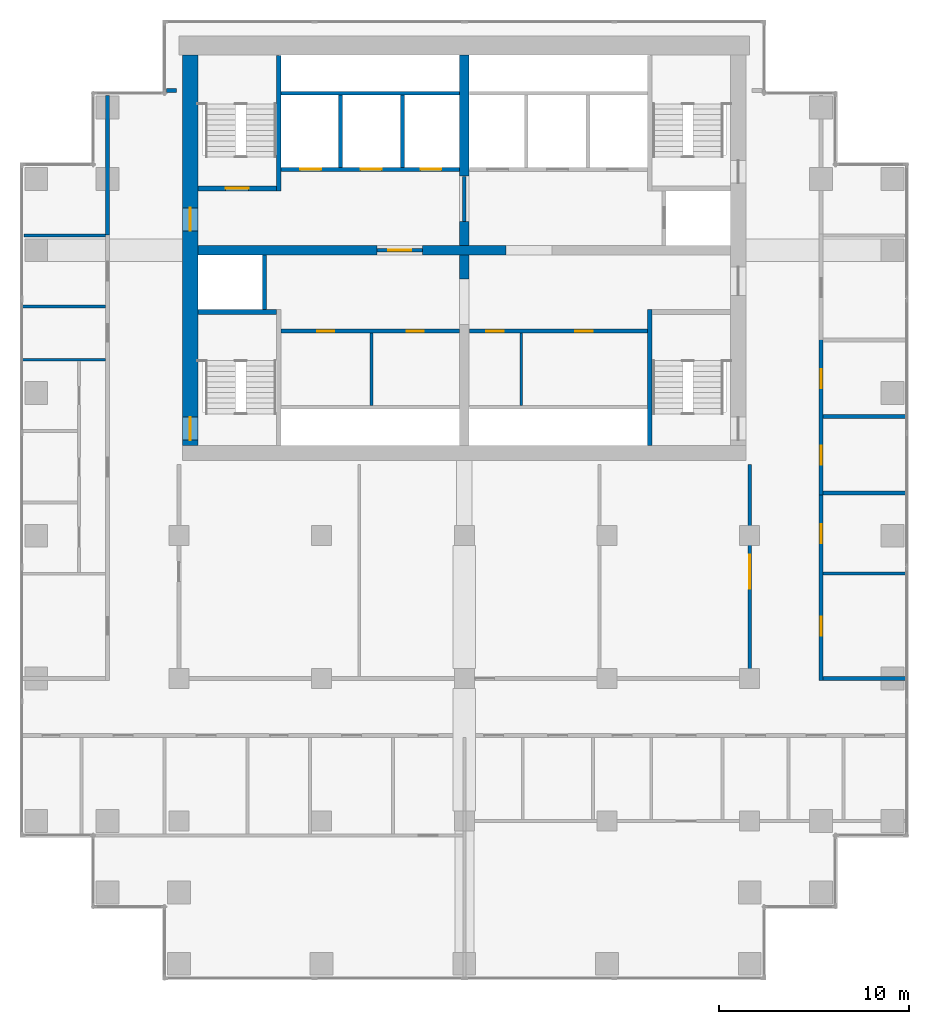
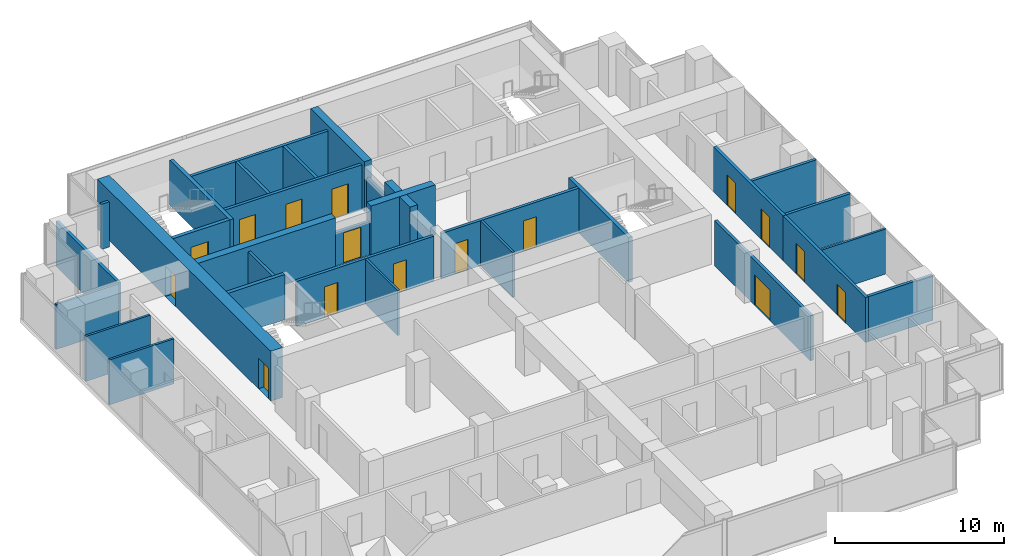
# One storey, part 8 of 10: 33 walls, 16 doors, 16 openings.
"""IFC4 building model written with IfcOpenShell, lengths in metres."""

from ifc_helpers import new_model, si_unit, direction, frame, frame_2d, origin, place, context, subcontext, project, spatial, rectangle, extrude, material, layer, layer_set, type_object, element, fill, save


model = new_model("IFC4")

# Units and contexts
model_context = context("Model", 3, precision=1e-05, world=origin(), true_north=direction((0.0, 1.0)))
body_context = subcontext(model_context, "Body", "Model", "MODEL_VIEW")
ifc_project = project(units=[si_unit("LENGTHUNIT", "METRE"), si_unit("AREAUNIT", "SQUARE_METRE"), si_unit("VOLUMEUNIT", "CUBIC_METRE"), si_unit("PLANEANGLEUNIT", "RADIAN"), si_unit("MASSUNIT", "GRAM", prefix="KILO")], contexts=[model_context])

# Site, building, storey
site_placement = place(None, origin())
site = spatial("IfcSite", under=ifc_project, at=site_placement, CompositionType="ELEMENT")
building_placement = place(site_placement, origin())
building = spatial("IfcBuilding", under=site, at=building_placement, Name="Pilkhan Gate Tower", CompositionType="ELEMENT")
storey_placement = place(building_placement, frame((0.0, 0.0, 180.10009765625)))
storey = spatial("IfcBuildingStorey", under=building, at=storey_placement, Name="L46", CompositionType="ELEMENT", Elevation=180.10009765625)

# Wall, openings, doors
ifc_material_1 = material(Name="Concrete C60/75", Category="concrete")
ifc_layer_1 = layer(ifc_material_1, 0.800048828125)
ifc_layer_set_1 = layer_set([ifc_layer_1], Name="Core wall CW800 C60/75")
wall_type_1 = type_object("IfcWallType", Name="Core wall CW800 C60/75", PredefinedType="SHEAR", material=ifc_layer_set_1)
wall_1_placement = place(storey_placement, frame((60.60009765625, 92.75, 0.0), z_axis=(0.0, 0.0, 1.0), x_axis=(0.0, -1.0, 0.0)))
wall_1 = element("IfcWall", 1, at=wall_1_placement, inside=storey, type_object=wall_type_1, Name="Core wall W L46", PredefinedType="SHEAR", context=body_context, shape_type="SweptSolid", body=[
    extrude(rectangle(XDim=20.5, YDim=0.800048828125, at=frame_2d((10.25, 0.0))), origin(), (0.0, 0.0, 1.0), 3.599853515625),
])
opening_1_placement = place(wall_1_placement, frame((19.02490234375, 0.0, 0.0)))
opening_1 = element("IfcOpeningElement", 2, at=opening_1_placement, cuts=wall_1, Name="Opening L46-04", PredefinedType="OPENING", context=body_context, shape_type="SweptSolid", body=[
    extrude(rectangle(XDim=1.199951171875, YDim=2.199951171875, at=frame_2d((0.60009765625, 1.10009765625))), frame((0.0, 0.409912109375, 0.0), z_axis=(0.0, -1.0, 0.0), x_axis=(1.0, 0.0, 0.0)), (0.0, 0.0, 1.0), 0.820068359375),
])
opening_2_placement = place(wall_1_placement, frame((8.02490234375, 0.0, 0.0)))
opening_2 = element("IfcOpeningElement", 3, at=opening_2_placement, cuts=wall_1, Name="Opening L46-12", PredefinedType="OPENING", context=body_context, shape_type="SweptSolid", body=[
    extrude(rectangle(XDim=1.199951171875, YDim=2.199951171875, at=frame_2d((0.60009765625, 1.10009765625))), frame((0.0, 0.409912109375, 0.0), z_axis=(0.0, -1.0, 0.0), x_axis=(1.0, 0.0, 0.0)), (0.0, 0.0, 1.0), 0.820068359375),
])
ifc_material_2 = material(Name="Steel door, 120 minute fire resisting, self-closing", Category="steel")
door_type_1 = type_object("IfcDoorType", Name="Firefighting lobby door D10 1200x2200", OperationType="SINGLE_SWING_LEFT", PredefinedType="DOOR", material=ifc_material_2)
door_1_placement = place(opening_2_placement, origin())
door_1 = element("IfcDoor", 4, at=door_1_placement, inside=storey, type_object=door_type_1, Name="Core door", OperationType="SINGLE_SWING_RIGHT", OverallHeight=2.199951171875, OverallWidth=1.199951171875, PredefinedType="DOOR", context=body_context, shape_type="SweptSolid", body=[
    extrude(rectangle(XDim=1.199951171875, YDim=2.199951171875, at=frame_2d((0.60009765625, 1.10009765625))), frame((0.0, 0.02490234375, 0.0), z_axis=(0.0, -1.0, 0.0), x_axis=(1.0, 0.0, 0.0)), (0.0, 0.0, 1.0), 0.050048828125),
])
fill(opening_2, door_1)
ifc_material_3 = material(Name="Steel door, 120 minute fire resisting, panic bar", Category="steel")
door_type_2 = type_object("IfcDoorType", Name="Stair door D11 1200x2200", OperationType="SINGLE_SWING_LEFT", PredefinedType="DOOR", material=ifc_material_3)
door_2_placement = place(opening_1_placement, origin())
door_2 = element("IfcDoor", 5, at=door_2_placement, inside=storey, type_object=door_type_2, Name="Stair ST2 door", OperationType="SINGLE_SWING_LEFT", OverallHeight=2.199951171875, OverallWidth=1.199951171875, PredefinedType="DOOR", context=body_context, shape_type="SweptSolid", body=[
    extrude(rectangle(XDim=1.199951171875, YDim=2.199951171875, at=frame_2d((0.60009765625, 1.10009765625))), frame((0.0, 0.02490234375, 0.0), z_axis=(0.0, -1.0, 0.0), x_axis=(1.0, 0.0, 0.0)), (0.0, 0.0, 1.0), 0.050048828125),
])
fill(opening_1, door_2)

# Walls
ifc_material_4 = material(Name="Dense blockwork", Category="masonry")
ifc_layer_2 = layer(ifc_material_4, 0.199951171875)
ifc_layer_set_2 = layer_set([ifc_layer_2], Name="Corridor wall FW200")
wall_type_2 = type_object("IfcWallType", Name="Corridor wall FW200", PredefinedType="PARTITIONING", material=ifc_layer_set_2)
wall_2_placement = place(storey_placement, frame((93.85009765625, 60.0, 0.0), z_axis=(0.0, 0.0, 1.0), x_axis=(1.0, 0.0, 0.0)))
element("IfcWall", 6, at=wall_2_placement, inside=storey, type_object=wall_type_2, Name="Partition L46", PredefinedType="PARTITIONING", context=body_context, shape_type="SweptSolid", body=[
    extrude(rectangle(XDim=4.414794921875, YDim=0.199951171875, at=frame_2d((2.20751953125, 0.0))), origin(), (0.0, 0.0, 1.0), 3.25),
])
wall_3_placement = place(storey_placement, frame((59.35498046875, 90.89990234375, 0.0), z_axis=(0.0, 0.0, 1.0), x_axis=(1.0, 0.0, 0.0)))
element("IfcWall", 7, at=wall_3_placement, inside=storey, type_object=wall_type_2, Name="Partition L46", PredefinedType="PARTITIONING", context=body_context, shape_type="SweptSolid", body=[
    extrude(rectangle(XDim=0.52490234375, YDim=0.199951171875, at=frame_2d((0.262451171875, 0.0))), origin(), (0.0, 0.0, 1.0), 3.25),
])
wall_4_placement = place(storey_placement, frame((56.25, 83.31005859375, 0.0), z_axis=(0.0, 0.0, 1.0), x_axis=(0.0, 1.0, 0.0)))
element("IfcWall", 8, at=wall_4_placement, inside=storey, type_object=wall_type_2, Name="Partition L46", PredefinedType="PARTITIONING", context=body_context, shape_type="SweptSolid", body=[
    extrude(rectangle(XDim=7.3349609375, YDim=0.199951171875, at=frame_2d((3.66748046875, 0.0))), origin(), (0.0, 0.0, 1.0), 3.25),
])

# Wall, opening, door
wall_5_placement = place(storey_placement, frame((90.0, 59.89990234375, 0.0), z_axis=(0.0, 0.0, 1.0), x_axis=(0.0, 1.0, 0.0)))
wall_5 = element("IfcWall", 9, at=wall_5_placement, inside=storey, type_object=wall_type_2, Name="Partition L46", PredefinedType="PARTITIONING", context=body_context, shape_type="SweptSolid", body=[
    extrude(rectangle(XDim=11.35009765625, YDim=0.199951171875, at=frame_2d((5.675048828125, 0.0))), origin(), (0.0, 0.0, 1.0), 3.25),
])
opening_3_placement = place(wall_5_placement, frame((4.800048828125, 0.0, 0.0)))
opening_3 = element("IfcOpeningElement", 10, at=opening_3_placement, cuts=wall_5, Name="Opening L46-41", PredefinedType="OPENING", context=body_context, shape_type="SweptSolid", body=[
    extrude(rectangle(XDim=1.800048828125, YDim=2.199951171875, at=frame_2d((0.89990234375, 1.10009765625))), frame((0.0, 0.10986328125, 0.0), z_axis=(0.0, -1.0, 0.0), x_axis=(1.0, 0.0, 0.0)), (0.0, 0.0, 1.0), 0.219970703125),
])
ifc_material_5 = material(Name="Timber glazed double door, 30 minute fire resisting", Category="wood")
door_type_3 = type_object("IfcDoorType", Name="Double door D04 1800x2200", OperationType="DOUBLE_DOOR_SINGLE_SWING", PredefinedType="DOOR", material=ifc_material_5)
door_3_placement = place(opening_3_placement, origin())
door_3 = element("IfcDoor", 11, at=door_3_placement, inside=storey, type_object=door_type_3, Name="Double door", OperationType="DOUBLE_DOOR_SINGLE_SWING", OverallHeight=2.199951171875, OverallWidth=1.800048828125, PredefinedType="DOOR", context=body_context, shape_type="SweptSolid", body=[
    extrude(rectangle(XDim=1.800048828125, YDim=2.199951171875, at=frame_2d((0.89990234375, 1.10009765625))), frame((0.0, 0.02490234375, 0.0), z_axis=(0.0, -1.0, 0.0), x_axis=(1.0, 0.0, 0.0)), (0.0, 0.0, 1.0), 0.050048828125),
])
fill(opening_3, door_3)

# Wall, openings, doors
wall_6_placement = place(storey_placement, frame((93.75, 59.89990234375, 0.0), z_axis=(0.0, 0.0, 1.0), x_axis=(0.0, 1.0, 0.0)))
wall_6 = element("IfcWall", 12, at=wall_6_placement, inside=storey, type_object=wall_type_2, Name="Partition L46", PredefinedType="PARTITIONING", context=body_context, shape_type="SweptSolid", body=[
    extrude(rectangle(XDim=9.835205078125, YDim=0.199951171875, at=frame_2d((4.91748046875, 0.0))), origin(), (0.0, 0.0, 1.0), 3.25),
])
opening_4_placement = place(wall_6_placement, frame((2.35009765625, 0.0, 0.0)))
opening_4 = element("IfcOpeningElement", 13, at=opening_4_placement, cuts=wall_6, Name="Opening L46-36", PredefinedType="OPENING", context=body_context, shape_type="SweptSolid", body=[
    extrude(rectangle(XDim=1.0, YDim=2.199951171875, at=frame_2d((0.5, 1.10009765625))), frame((0.0, 0.10986328125, 0.0), z_axis=(0.0, -1.0, 0.0), x_axis=(1.0, 0.0, 0.0)), (0.0, 0.0, 1.0), 0.219970703125),
])
opening_5_placement = place(wall_6_placement, frame((7.202880859375, 0.0, 0.0)))
opening_5 = element("IfcOpeningElement", 14, at=opening_5_placement, cuts=wall_6, Name="Opening L46-37", PredefinedType="OPENING", context=body_context, shape_type="SweptSolid", body=[
    extrude(rectangle(XDim=1.0, YDim=2.199951171875, at=frame_2d((0.5, 1.10009765625))), frame((0.0, 0.10986328125, 0.0), z_axis=(0.0, -1.0, 0.0), x_axis=(1.0, 0.0, 0.0)), (0.0, 0.0, 1.0), 0.219970703125),
])
ifc_material_6 = material(Name="Timber flush door, 30 minute fire resisting", Category="wood")
door_type_4 = type_object("IfcDoorType", Name="Room door D03 1000x2200", OperationType="SINGLE_SWING_LEFT", PredefinedType="DOOR", material=ifc_material_6)
door_4_placement = place(opening_4_placement, origin())
door_4 = element("IfcDoor", 15, at=door_4_placement, inside=storey, type_object=door_type_4, Name="Room door", OperationType="SINGLE_SWING_LEFT", OverallHeight=2.199951171875, OverallWidth=1.0, PredefinedType="DOOR", context=body_context, shape_type="SweptSolid", body=[
    extrude(rectangle(XDim=1.0, YDim=2.199951171875, at=frame_2d((0.5, 1.10009765625))), frame((0.0, 0.02490234375, 0.0), z_axis=(0.0, -1.0, 0.0), x_axis=(1.0, 0.0, 0.0)), (0.0, 0.0, 1.0), 0.050048828125),
])
fill(opening_4, door_4)
door_5_placement = place(opening_5_placement, origin())
door_5 = element("IfcDoor", 16, at=door_5_placement, inside=storey, type_object=door_type_4, Name="Room door", OperationType="SINGLE_SWING_LEFT", OverallHeight=2.199951171875, OverallWidth=1.0, PredefinedType="DOOR", context=body_context, shape_type="SweptSolid", body=[
    extrude(rectangle(XDim=1.0, YDim=2.199951171875, at=frame_2d((0.5, 1.10009765625))), frame((0.0, 0.02490234375, 0.0), z_axis=(0.0, -1.0, 0.0), x_axis=(1.0, 0.0, 0.0)), (0.0, 0.0, 1.0), 0.050048828125),
])
fill(opening_5, door_5)

# Walls
ifc_layer_3 = layer(ifc_material_4, 0.199951171875)
ifc_layer_set_3 = layer_set([ifc_layer_3], Name="Lobby wall LW200")
wall_type_3 = type_object("IfcWallType", Name="Lobby wall LW200", PredefinedType="PARTITIONING", material=ifc_layer_set_3)
for number, where, z_axis, x_axis, name in (
    (17, (93.85009765625, 69.735107421875, 0.0), (0.0, 0.0, 1.0), (1.0, 0.0, 0.0), "Partition L46"),
    (18, (93.85009765625, 73.756103515625, 0.0), (0.0, 0.0, 1.0), (1.0, 0.0, 0.0), "Partition L46"),
):
    element("IfcWall", number, at=place(storey_placement, frame(where, z_axis=z_axis, x_axis=x_axis)), inside=storey, type_object=wall_type_3, Name=name, PredefinedType="PARTITIONING", context=body_context, shape_type="SweptSolid", body=[
        extrude(rectangle(XDim=4.414794921875, YDim=0.199951171875, at=frame_2d((2.20751953125, 0.0))), origin(), (0.0, 0.0, 1.0), 3.25),
    ])

# Wall, openings, doors
wall_7_placement = place(storey_placement, frame((65.375, 78.25, 0.0), z_axis=(0.0, 0.0, 1.0), x_axis=(1.0, 0.0, 0.0)))
wall_7 = element("IfcWall", 19, at=wall_7_placement, inside=storey, type_object=wall_type_3, Name="Partition L46", PredefinedType="PARTITIONING", context=body_context, shape_type="SweptSolid", body=[
    extrude(rectangle(XDim=9.364990234375, YDim=0.199951171875, at=frame_2d((4.6826171875, 0.0))), origin(), (0.0, 0.0, 1.0), 3.25),
])
opening_6_placement = place(wall_7_placement, frame((1.89990234375, 0.0, 0.0)))
opening_6 = element("IfcOpeningElement", 20, at=opening_6_placement, cuts=wall_7, Name="Opening L46-13", PredefinedType="OPENING", context=body_context, shape_type="SweptSolid", body=[
    extrude(rectangle(XDim=0.89990234375, YDim=2.199951171875, at=frame_2d((0.449951171875, 1.10009765625))), frame((0.0, 0.10986328125, 0.0), z_axis=(0.0, -1.0, 0.0), x_axis=(1.0, 0.0, 0.0)), (0.0, 0.0, 1.0), 0.219970703125),
])
opening_7_placement = place(wall_7_placement, frame((6.60009765625, 0.0, 0.0)))
opening_7 = element("IfcOpeningElement", 21, at=opening_7_placement, cuts=wall_7, Name="Opening L46-14", PredefinedType="OPENING", context=body_context, shape_type="SweptSolid", body=[
    extrude(rectangle(XDim=0.89990234375, YDim=2.199951171875, at=frame_2d((0.449951171875, 1.10009765625))), frame((0.0, 0.10986328125, 0.0), z_axis=(0.0, -1.0, 0.0), x_axis=(1.0, 0.0, 0.0)), (0.0, 0.0, 1.0), 0.219970703125),
])
ifc_material_7 = material(Name="Timber flush door, 60 minute fire resisting, self-closing", Category="wood")
door_type_5 = type_object("IfcDoorType", Name="Store door D05 900x2200", OperationType="SINGLE_SWING_LEFT", PredefinedType="DOOR", material=ifc_material_7)
door_6_placement = place(opening_6_placement, origin())
door_6 = element("IfcDoor", 22, at=door_6_placement, inside=storey, type_object=door_type_5, Name="Store door", OperationType="SINGLE_SWING_LEFT", OverallHeight=2.199951171875, OverallWidth=0.89990234375, PredefinedType="DOOR", context=body_context, shape_type="SweptSolid", body=[
    extrude(rectangle(XDim=0.89990234375, YDim=2.199951171875, at=frame_2d((0.449951171875, 1.10009765625))), frame((0.0, 0.02490234375, 0.0), z_axis=(0.0, -1.0, 0.0), x_axis=(1.0, 0.0, 0.0)), (0.0, 0.0, 1.0), 0.050048828125),
])
fill(opening_6, door_6)
door_7_placement = place(opening_7_placement, origin())
door_7 = element("IfcDoor", 23, at=door_7_placement, inside=storey, type_object=door_type_5, Name="Store door", OperationType="SINGLE_SWING_LEFT", OverallHeight=2.199951171875, OverallWidth=0.89990234375, PredefinedType="DOOR", context=body_context, shape_type="SweptSolid", body=[
    extrude(rectangle(XDim=0.89990234375, YDim=2.199951171875, at=frame_2d((0.449951171875, 1.10009765625))), frame((0.0, 0.02490234375, 0.0), z_axis=(0.0, -1.0, 0.0), x_axis=(1.0, 0.0, 0.0)), (0.0, 0.0, 1.0), 0.050048828125),
])
fill(opening_7, door_7)

wall_8_placement = place(storey_placement, frame((75.260009765625, 78.25, 0.0), z_axis=(0.0, 0.0, 1.0), x_axis=(1.0, 0.0, 0.0)))
wall_8 = element("IfcWall", 24, at=wall_8_placement, inside=storey, type_object=wall_type_3, Name="Partition L46", PredefinedType="PARTITIONING", context=body_context, shape_type="SweptSolid", body=[
    extrude(rectangle(XDim=9.364990234375, YDim=0.199951171875, at=frame_2d((4.6826171875, 0.0))), origin(), (0.0, 0.0, 1.0), 3.25),
])
opening_8_placement = place(wall_8_placement, frame((0.89990234375, 0.0, 0.0)))
opening_8 = element("IfcOpeningElement", 25, at=opening_8_placement, cuts=wall_8, Name="Opening L46-15", PredefinedType="OPENING", context=body_context, shape_type="SweptSolid", body=[
    extrude(rectangle(XDim=0.89990234375, YDim=2.199951171875, at=frame_2d((0.449951171875, 1.10009765625))), frame((0.0, 0.10986328125, 0.0), z_axis=(0.0, -1.0, 0.0), x_axis=(1.0, 0.0, 0.0)), (0.0, 0.0, 1.0), 0.219970703125),
])
opening_9_placement = place(wall_8_placement, frame((5.580078125, 0.0, 0.0)))
opening_9 = element("IfcOpeningElement", 26, at=opening_9_placement, cuts=wall_8, Name="Opening L46-16", PredefinedType="OPENING", context=body_context, shape_type="SweptSolid", body=[
    extrude(rectangle(XDim=0.89990234375, YDim=2.199951171875, at=frame_2d((0.449951171875, 1.10009765625))), frame((0.0, 0.10986328125, 0.0), z_axis=(0.0, -1.0, 0.0), x_axis=(1.0, 0.0, 0.0)), (0.0, 0.0, 1.0), 0.219970703125),
])
door_8_placement = place(opening_8_placement, origin())
door_8 = element("IfcDoor", 27, at=door_8_placement, inside=storey, type_object=door_type_5, Name="Store door", OperationType="SINGLE_SWING_LEFT", OverallHeight=2.199951171875, OverallWidth=0.89990234375, PredefinedType="DOOR", context=body_context, shape_type="SweptSolid", body=[
    extrude(rectangle(XDim=0.89990234375, YDim=2.199951171875, at=frame_2d((0.449951171875, 1.10009765625))), frame((0.0, 0.02490234375, 0.0), z_axis=(0.0, -1.0, 0.0), x_axis=(1.0, 0.0, 0.0)), (0.0, 0.0, 1.0), 0.050048828125),
])
fill(opening_8, door_8)
door_9_placement = place(opening_9_placement, origin())
door_9 = element("IfcDoor", 28, at=door_9_placement, inside=storey, type_object=door_type_5, Name="Store door", OperationType="SINGLE_SWING_LEFT", OverallHeight=2.199951171875, OverallWidth=0.89990234375, PredefinedType="DOOR", context=body_context, shape_type="SweptSolid", body=[
    extrude(rectangle(XDim=0.89990234375, YDim=2.199951171875, at=frame_2d((0.449951171875, 1.10009765625))), frame((0.0, 0.02490234375, 0.0), z_axis=(0.0, -1.0, 0.0), x_axis=(1.0, 0.0, 0.0)), (0.0, 0.0, 1.0), 0.050048828125),
])
fill(opening_9, door_9)

# Wall, opening, door
wall_9_placement = place(storey_placement, frame((70.409912109375, 82.5, 0.0), z_axis=(0.0, 0.0, 1.0), x_axis=(1.0, 0.0, 0.0)))
wall_9 = element("IfcWall", 29, at=wall_9_placement, inside=storey, type_object=wall_type_3, Name="Partition L46", PredefinedType="PARTITIONING", context=body_context, shape_type="SweptSolid", body=[
    extrude(rectangle(XDim=2.380126953125, YDim=0.199951171875, at=frame_2d((1.18994140625, 0.0))), origin(), (0.0, 0.0, 1.0), 2.39990234375),
])
opening_10_placement = place(wall_9_placement, frame((0.60009765625, 0.0, 0.0)))
opening_10 = element("IfcOpeningElement", 30, at=opening_10_placement, cuts=wall_9, Name="Opening L46-01", PredefinedType="OPENING", context=body_context, shape_type="SweptSolid", body=[
    extrude(rectangle(XDim=1.199951171875, YDim=2.199951171875, at=frame_2d((0.60009765625, 1.10009765625))), frame((0.0, 0.10986328125, 0.0), z_axis=(0.0, -1.0, 0.0), x_axis=(1.0, 0.0, 0.0)), (0.0, 0.0, 1.0), 0.219970703125),
])
door_10_placement = place(opening_10_placement, origin())
door_10 = element("IfcDoor", 31, at=door_10_placement, inside=storey, type_object=door_type_1, Name="Firefighting lobby door", OperationType="SINGLE_SWING_LEFT", OverallHeight=2.199951171875, OverallWidth=1.199951171875, PredefinedType="DOOR", context=body_context, shape_type="SweptSolid", body=[
    extrude(rectangle(XDim=1.199951171875, YDim=2.199951171875, at=frame_2d((0.60009765625, 1.10009765625))), frame((0.0, 0.02490234375, 0.0), z_axis=(0.0, -1.0, 0.0), x_axis=(1.0, 0.0, 0.0)), (0.0, 0.0, 1.0), 0.050048828125),
])
fill(opening_10, door_10)

# Wall
wall_10_placement = place(storey_placement, frame((75.0, 84.010009765625, 0.0), z_axis=(0.0, 0.0, 1.0), x_axis=(0.0, 1.0, 0.0)))
element("IfcWall", 32, at=wall_10_placement, inside=storey, type_object=wall_type_3, Name="Partition L46", PredefinedType="PARTITIONING", context=body_context, shape_type="SweptSolid", body=[
    extrude(rectangle(XDim=2.3798828125, YDim=0.199951171875, at=frame_2d((1.18994140625, 0.0))), origin(), (0.0, 0.0, 1.0), 2.39990234375),
])

# Wall, openings, doors
wall_11_placement = place(storey_placement, frame((93.75, 69.635009765625, 0.0), z_axis=(0.0, 0.0, 1.0), x_axis=(0.0, 1.0, 0.0)))
wall_11 = element("IfcWall", 33, at=wall_11_placement, inside=storey, type_object=wall_type_3, Name="Partition L46", PredefinedType="PARTITIONING", context=body_context, shape_type="SweptSolid", body=[
    extrude(rectangle(XDim=8.241943359375, YDim=0.199951171875, at=frame_2d((4.12109375, 0.0))), origin(), (0.0, 0.0, 1.0), 3.25),
])
opening_11_placement = place(wall_11_placement, frame((1.60009765625, 0.0, 0.0)))
opening_11 = element("IfcOpeningElement", 34, at=opening_11_placement, cuts=wall_11, Name="Opening L46-09", PredefinedType="OPENING", context=body_context, shape_type="SweptSolid", body=[
    extrude(rectangle(XDim=1.0, YDim=2.199951171875, at=frame_2d((0.5, 1.10009765625))), frame((0.0, 0.10986328125, 0.0), z_axis=(0.0, -1.0, 0.0), x_axis=(1.0, 0.0, 0.0)), (0.0, 0.0, 1.0), 0.219970703125),
])
opening_12_placement = place(wall_11_placement, frame((5.62109375, 0.0, 0.0)))
opening_12 = element("IfcOpeningElement", 35, at=opening_12_placement, cuts=wall_11, Name="Opening L46-10", PredefinedType="OPENING", context=body_context, shape_type="SweptSolid", body=[
    extrude(rectangle(XDim=1.0, YDim=2.199951171875, at=frame_2d((0.5, 1.10009765625))), frame((0.0, 0.10986328125, 0.0), z_axis=(0.0, -1.0, 0.0), x_axis=(1.0, 0.0, 0.0)), (0.0, 0.0, 1.0), 0.219970703125),
])
door_11_placement = place(opening_11_placement, origin())
door_11 = element("IfcDoor", 36, at=door_11_placement, inside=storey, type_object=door_type_4, Name="Room door", OperationType="SINGLE_SWING_RIGHT", OverallHeight=2.199951171875, OverallWidth=1.0, PredefinedType="DOOR", context=body_context, shape_type="SweptSolid", body=[
    extrude(rectangle(XDim=1.0, YDim=2.199951171875, at=frame_2d((0.5, 1.10009765625))), frame((0.0, 0.02490234375, 0.0), z_axis=(0.0, -1.0, 0.0), x_axis=(1.0, 0.0, 0.0)), (0.0, 0.0, 1.0), 0.050048828125),
])
fill(opening_11, door_11)
door_12_placement = place(opening_12_placement, origin())
door_12 = element("IfcDoor", 37, at=door_12_placement, inside=storey, type_object=door_type_4, Name="Room door", OperationType="SINGLE_SWING_LEFT", OverallHeight=2.199951171875, OverallWidth=1.0, PredefinedType="DOOR", context=body_context, shape_type="SweptSolid", body=[
    extrude(rectangle(XDim=1.0, YDim=2.199951171875, at=frame_2d((0.5, 1.10009765625))), frame((0.0, 0.02490234375, 0.0), z_axis=(0.0, -1.0, 0.0), x_axis=(1.0, 0.0, 0.0)), (0.0, 0.0, 1.0), 0.050048828125),
])
fill(opening_12, door_12)

# Walls
ifc_material_8 = material(Name="Blockwork partition, plastered both sides", Category="masonry")
ifc_layer_4 = layer(ifc_material_8, 0.14990234375)
ifc_layer_set_4 = layer_set([ifc_layer_4], Name="Partition PW150")
wall_type_4 = type_object("IfcWallType", Name="Partition PW150", PredefinedType="PARTITIONING", material=ifc_layer_set_4)
for number, where, z_axis, x_axis, name in (
    (38, (93.85009765625, 65.5029296875, 0.0), (0.0, 0.0, 1.0), (1.0, 0.0, 0.0), "Partition L46"),
    (39, (51.735107421875, 76.75, 0.0), (0.0, 0.0, 1.0), (1.0, 0.0, 0.0), "Partition L46"),
    (40, (51.735107421875, 79.549072265625, 0.0), (0.0, 0.0, 1.0), (1.0, 0.0, 0.0), "Partition L46"),
):
    element("IfcWall", number, at=place(storey_placement, frame(where, z_axis=z_axis, x_axis=x_axis)), inside=storey, type_object=wall_type_4, Name=name, PredefinedType="PARTITIONING", context=body_context, shape_type="SweptSolid", body=[
        extrude(rectangle(XDim=4.414794921875, YDim=0.14990234375, at=frame_2d((2.20751953125, 0.0))), origin(), (0.0, 0.0, 1.0), 3.25),
    ])
wall_12_placement = place(storey_placement, frame((51.85498046875, 83.280029296875, 0.0), z_axis=(0.0, 0.0, 1.0), x_axis=(1.0, 0.0, 0.0)))
element("IfcWall", 41, at=wall_12_placement, inside=storey, type_object=wall_type_4, Name="Partition L46", PredefinedType="PARTITIONING", context=body_context, shape_type="SweptSolid", body=[
    extrude(rectangle(XDim=4.294921875, YDim=0.14990234375, at=frame_2d((2.1474609375, 0.0))), origin(), (0.0, 0.0, 1.0), 3.25),
])
for number, where, z_axis, x_axis, name in (
    (42, (70.125, 74.35009765625, 0.0), (0.0, 0.0, 1.0), (0.0, 1.0, 0.0), "Partition L46"),
    (43, (77.989990234375, 74.35009765625, 0.0), (0.0, 0.0, 1.0), (0.0, 1.0, 0.0), "Partition L46"),
):
    element("IfcWall", number, at=place(storey_placement, frame(where, z_axis=z_axis, x_axis=x_axis)), inside=storey, type_object=wall_type_4, Name=name, PredefinedType="PARTITIONING", context=body_context, shape_type="SweptSolid", body=[
        extrude(rectangle(XDim=3.7998046875, YDim=0.14990234375, at=frame_2d((1.89990234375, 0.0))), origin(), (0.0, 0.0, 1.0), 3.25),
    ])

# Wall, openings, doors
ifc_material_9 = material(Name="Reinforced blockwork shaft wall, 120 minute fire resisting", Category="masonry")
ifc_layer_5 = layer(ifc_material_9, 0.199951171875)
ifc_layer_set_5 = layer_set([ifc_layer_5], Name="Shaft wall SW200")
wall_type_5 = type_object("IfcWallType", Name="Shaft wall SW200", PredefinedType="PARTITIONING", material=ifc_layer_set_5)
wall_13_placement = place(storey_placement, frame((65.375, 86.75, 0.0), z_axis=(0.0, 0.0, 1.0), x_axis=(1.0, 0.0, 0.0)))
wall_13 = element("IfcWall", 44, at=wall_13_placement, inside=storey, type_object=wall_type_5, Name="Partition L46", PredefinedType="PARTITIONING", context=body_context, shape_type="SweptSolid", body=[
    extrude(rectangle(XDim=9.364990234375, YDim=0.199951171875, at=frame_2d((4.6826171875, 0.0))), origin(), (0.0, 0.0, 1.0), 3.25),
])
opening_13_placement = place(wall_13_placement, frame((1.0, 0.0, 0.0)))
opening_13 = element("IfcOpeningElement", 45, at=opening_13_placement, cuts=wall_13, Name="Opening LD", PredefinedType="OPENING", context=body_context, shape_type="SweptSolid", body=[
    extrude(rectangle(XDim=1.10009765625, YDim=2.199951171875, at=frame_2d((0.550048828125, 1.10009765625))), frame((0.0, 0.10986328125, 0.0), z_axis=(0.0, -1.0, 0.0), x_axis=(1.0, 0.0, 0.0)), (0.0, 0.0, 1.0), 0.219970703125),
])
opening_14_placement = place(wall_13_placement, frame((4.175048828125, 0.0, 0.0)))
opening_14 = element("IfcOpeningElement", 46, at=opening_14_placement, cuts=wall_13, Name="Opening LD", PredefinedType="OPENING", context=body_context, shape_type="SweptSolid", body=[
    extrude(rectangle(XDim=1.10009765625, YDim=2.199951171875, at=frame_2d((0.550048828125, 1.10009765625))), frame((0.0, 0.10986328125, 0.0), z_axis=(0.0, -1.0, 0.0), x_axis=(1.0, 0.0, 0.0)), (0.0, 0.0, 1.0), 0.219970703125),
])
opening_15_placement = place(wall_13_placement, frame((7.324951171875, 0.0, 0.0)))
opening_15 = element("IfcOpeningElement", 47, at=opening_15_placement, cuts=wall_13, Name="Opening LD", PredefinedType="OPENING", context=body_context, shape_type="SweptSolid", body=[
    extrude(rectangle(XDim=1.10009765625, YDim=2.199951171875, at=frame_2d((0.550048828125, 1.10009765625))), frame((0.0, 0.10986328125, 0.0), z_axis=(0.0, -1.0, 0.0), x_axis=(1.0, 0.0, 0.0)), (0.0, 0.0, 1.0), 0.219970703125),
])
ifc_material_10 = material(Name="Stainless steel centre-opening landing door, 120 minute fire resisting", Category="steel")
door_type_6 = type_object("IfcDoorType", Name="Lift landing door LD 1100x2200", OperationType="DOUBLE_DOOR_SLIDING", PredefinedType="DOOR", material=ifc_material_10)
door_13_placement = place(opening_13_placement, origin())
door_13 = element("IfcDoor", 48, at=door_13_placement, inside=storey, type_object=door_type_6, Name="Landing door FF1", OperationType="DOUBLE_DOOR_SLIDING", OverallHeight=2.199951171875, OverallWidth=1.10009765625, PredefinedType="DOOR", context=body_context, shape_type="SweptSolid", body=[
    extrude(rectangle(XDim=1.10009765625, YDim=2.199951171875, at=frame_2d((0.550048828125, 1.10009765625))), frame((0.0, 0.02490234375, 0.0), z_axis=(0.0, -1.0, 0.0), x_axis=(1.0, 0.0, 0.0)), (0.0, 0.0, 1.0), 0.050048828125),
])
fill(opening_13, door_13)
door_14_placement = place(opening_14_placement, origin())
door_14 = element("IfcDoor", 49, at=door_14_placement, inside=storey, type_object=door_type_6, Name="Landing door FF2", OperationType="DOUBLE_DOOR_SLIDING", OverallHeight=2.199951171875, OverallWidth=1.10009765625, PredefinedType="DOOR", context=body_context, shape_type="SweptSolid", body=[
    extrude(rectangle(XDim=1.10009765625, YDim=2.199951171875, at=frame_2d((0.550048828125, 1.10009765625))), frame((0.0, 0.02490234375, 0.0), z_axis=(0.0, -1.0, 0.0), x_axis=(1.0, 0.0, 0.0)), (0.0, 0.0, 1.0), 0.050048828125),
])
fill(opening_14, door_14)
door_15_placement = place(opening_15_placement, origin())
door_15 = element("IfcDoor", 50, at=door_15_placement, inside=storey, type_object=door_type_6, Name="Landing door SV1", OperationType="DOUBLE_DOOR_SLIDING", OverallHeight=2.199951171875, OverallWidth=1.10009765625, PredefinedType="DOOR", context=body_context, shape_type="SweptSolid", body=[
    extrude(rectangle(XDim=1.10009765625, YDim=2.199951171875, at=frame_2d((0.550048828125, 1.10009765625))), frame((0.0, 0.02490234375, 0.0), z_axis=(0.0, -1.0, 0.0), x_axis=(1.0, 0.0, 0.0)), (0.0, 0.0, 1.0), 0.050048828125),
])
fill(opening_15, door_15)

# Walls
wall_14_placement = place(storey_placement, frame((65.375, 90.75, 0.0), z_axis=(0.0, 0.0, 1.0), x_axis=(1.0, 0.0, 0.0)))
element("IfcWall", 51, at=wall_14_placement, inside=storey, type_object=wall_type_5, Name="Partition L46", PredefinedType="PARTITIONING", context=body_context, shape_type="SweptSolid", body=[
    extrude(rectangle(XDim=9.364990234375, YDim=0.199951171875, at=frame_2d((4.6826171875, 0.0))), origin(), (0.0, 0.0, 1.0), 3.25),
])
wall_15_placement = place(storey_placement, frame((64.5, 79.375, 0.0), z_axis=(0.0, 0.0, 1.0), x_axis=(0.0, 1.0, 0.0)))
element("IfcWall", 52, at=wall_15_placement, inside=storey, type_object=wall_type_5, Name="Partition L46", PredefinedType="PARTITIONING", context=body_context, shape_type="SweptSolid", body=[
    extrude(rectangle(XDim=2.864990234375, YDim=0.199951171875, at=frame_2d((1.4326171875, 0.0))), origin(), (0.0, 0.0, 1.0), 3.25),
])
for number, where, z_axis, x_axis, name in (
    (53, (68.5, 86.85009765625, 0.0), (0.0, 0.0, 1.0), (0.0, 1.0, 0.0), "Partition L46"),
    (54, (71.75, 86.85009765625, 0.0), (0.0, 0.0, 1.0), (0.0, 1.0, 0.0), "Partition L46"),
):
    element("IfcWall", number, at=place(storey_placement, frame(where, z_axis=z_axis, x_axis=x_axis)), inside=storey, type_object=wall_type_5, Name=name, PredefinedType="PARTITIONING", context=body_context, shape_type="SweptSolid", body=[
        extrude(rectangle(XDim=3.7998046875, YDim=0.199951171875, at=frame_2d((1.89990234375, 0.0))), origin(), (0.0, 0.0, 1.0), 3.25),
    ])
ifc_layer_6 = layer(ifc_material_1, 0.5)
ifc_layer_set_6 = layer_set([ifc_layer_6], Name="Spine wall SW500 C60/75")
wall_type_6 = type_object("IfcWallType", Name="Spine wall SW500 C60/75", PredefinedType="SHEAR", material=ifc_layer_set_6)
wall_16_placement = place(storey_placement, frame((61.0, 82.5, 0.0), z_axis=(0.0, 0.0, 1.0), x_axis=(1.0, 0.0, 0.0)))
element("IfcWall", 55, at=wall_16_placement, inside=storey, type_object=wall_type_6, Name="Spine wall SP-EW1 L46", PredefinedType="SHEAR", context=body_context, shape_type="SweptSolid", body=[
    extrude(rectangle(XDim=9.39990234375, YDim=0.5, at=frame_2d((4.699951171875, 0.0))), origin(), (0.0, 0.0, 1.0), 3.599853515625),
])
wall_17_placement = place(storey_placement, frame((72.800048828125, 82.5, 0.0), z_axis=(0.0, 0.0, 1.0), x_axis=(1.0, 0.0, 0.0)))
element("IfcWall", 56, at=wall_17_placement, inside=storey, type_object=wall_type_6, Name="Spine wall SP-EW2 L46", PredefinedType="SHEAR", context=body_context, shape_type="SweptSolid", body=[
    extrude(rectangle(XDim=4.39990234375, YDim=0.5, at=frame_2d((2.199951171875, 0.0))), origin(), (0.0, 0.0, 1.0), 3.599853515625),
])
for number, where, z_axis, x_axis, name in (
    (57, (75.0, 81.0, 0.0), (0.0, 0.0, 1.0), (0.0, 1.0, 0.0), "Spine wall SP-NS-S2 L46"),
    (58, (75.0, 82.75, 0.0), (0.0, 0.0, 1.0), (0.0, 1.0, 0.0), "Spine wall SP-NS-N1 L46"),
):
    element("IfcWall", number, at=place(storey_placement, frame(where, z_axis=z_axis, x_axis=x_axis)), inside=storey, type_object=wall_type_6, Name=name, PredefinedType="SHEAR", context=body_context, shape_type="SweptSolid", body=[
        extrude(rectangle(XDim=1.25, YDim=0.5, at=frame_2d((0.625, 0.0))), origin(), (0.0, 0.0, 1.0), 3.599853515625),
    ])
wall_18_placement = place(storey_placement, frame((75.0, 86.39990234375, 0.0), z_axis=(0.0, 0.0, 1.0), x_axis=(0.0, 1.0, 0.0)))
element("IfcWall", 59, at=wall_18_placement, inside=storey, type_object=wall_type_6, Name="Spine wall SP-NS-N2 L46", PredefinedType="SHEAR", context=body_context, shape_type="SweptSolid", body=[
    extrude(rectangle(XDim=6.35009765625, YDim=0.5, at=frame_2d((3.175048828125, 0.0))), origin(), (0.0, 0.0, 1.0), 3.599853515625),
])
ifc_material_11 = material(Name="Reinforced blockwork, 120 minute fire resisting", Category="masonry")
ifc_layer_7 = layer(ifc_material_11, 0.25)
ifc_layer_set_7 = layer_set([ifc_layer_7], Name="Stair enclosure wall SE250")
wall_type_7 = type_object("IfcWallType", Name="Stair enclosure wall SE250", PredefinedType="PARTITIONING", material=ifc_layer_set_7)
wall_19_placement = place(storey_placement, frame((61.010009765625, 79.25, 0.0), z_axis=(0.0, 0.0, 1.0), x_axis=(1.0, 0.0, 0.0)))
element("IfcWall", 60, at=wall_19_placement, inside=storey, type_object=wall_type_7, Name="Partition L46", PredefinedType="PARTITIONING", context=body_context, shape_type="SweptSolid", body=[
    extrude(rectangle(XDim=4.114990234375, YDim=0.25, at=frame_2d((2.0576171875, 0.0))), origin(), (0.0, 0.0, 1.0), 3.25),
])

# Wall, opening, door
wall_20_placement = place(storey_placement, frame((61.010009765625, 85.75, 0.0), z_axis=(0.0, 0.0, 1.0), x_axis=(1.0, 0.0, 0.0)))
wall_20 = element("IfcWall", 61, at=wall_20_placement, inside=storey, type_object=wall_type_7, Name="Partition L46", PredefinedType="PARTITIONING", context=body_context, shape_type="SweptSolid", body=[
    extrude(rectangle(XDim=4.114990234375, YDim=0.25, at=frame_2d((2.0576171875, 0.0))), origin(), (0.0, 0.0, 1.0), 3.25),
])
opening_16_placement = place(wall_20_placement, frame((1.449951171875, 0.0, 0.0)))
opening_16 = element("IfcOpeningElement", 62, at=opening_16_placement, cuts=wall_20, Name="Opening L46-02", PredefinedType="OPENING", context=body_context, shape_type="SweptSolid", body=[
    extrude(rectangle(XDim=1.199951171875, YDim=2.199951171875, at=frame_2d((0.60009765625, 1.10009765625))), frame((0.0, 0.135009765625, 0.0), z_axis=(0.0, -1.0, 0.0), x_axis=(1.0, 0.0, 0.0)), (0.0, 0.0, 1.0), 0.27001953125),
])
door_16_placement = place(opening_16_placement, origin())
door_16 = element("IfcDoor", 63, at=door_16_placement, inside=storey, type_object=door_type_2, Name="Stair ST3 lobby door", OperationType="SINGLE_SWING_RIGHT", OverallHeight=2.199951171875, OverallWidth=1.199951171875, PredefinedType="DOOR", context=body_context, shape_type="SweptSolid", body=[
    extrude(rectangle(XDim=1.199951171875, YDim=2.199951171875, at=frame_2d((0.60009765625, 1.10009765625))), frame((0.0, 0.02490234375, 0.0), z_axis=(0.0, -1.0, 0.0), x_axis=(1.0, 0.0, 0.0)), (0.0, 0.0, 1.0), 0.050048828125),
])
fill(opening_16, door_16)

# Walls
wall_21_placement = place(storey_placement, frame((65.25, 85.625, 0.0), z_axis=(0.0, 0.0, 1.0), x_axis=(0.0, 1.0, 0.0)))
element("IfcWall", 64, at=wall_21_placement, inside=storey, type_object=wall_type_7, Name="Partition L46", PredefinedType="PARTITIONING", context=body_context, shape_type="SweptSolid", body=[
    extrude(rectangle(XDim=7.114990234375, YDim=0.25, at=frame_2d((3.5576171875, 0.0))), origin(), (0.0, 0.0, 1.0), 3.25),
])
wall_22_placement = place(storey_placement, frame((84.75, 72.25, 0.0), z_axis=(0.0, 0.0, 1.0), x_axis=(0.0, 1.0, 0.0)))
element("IfcWall", 65, at=wall_22_placement, inside=storey, type_object=wall_type_7, Name="Partition L46", PredefinedType="PARTITIONING", context=body_context, shape_type="SweptSolid", body=[
    extrude(rectangle(XDim=7.125, YDim=0.25, at=frame_2d((3.5625, 0.0))), origin(), (0.0, 0.0, 1.0), 3.25),
])

save(model, "model.ifc")
